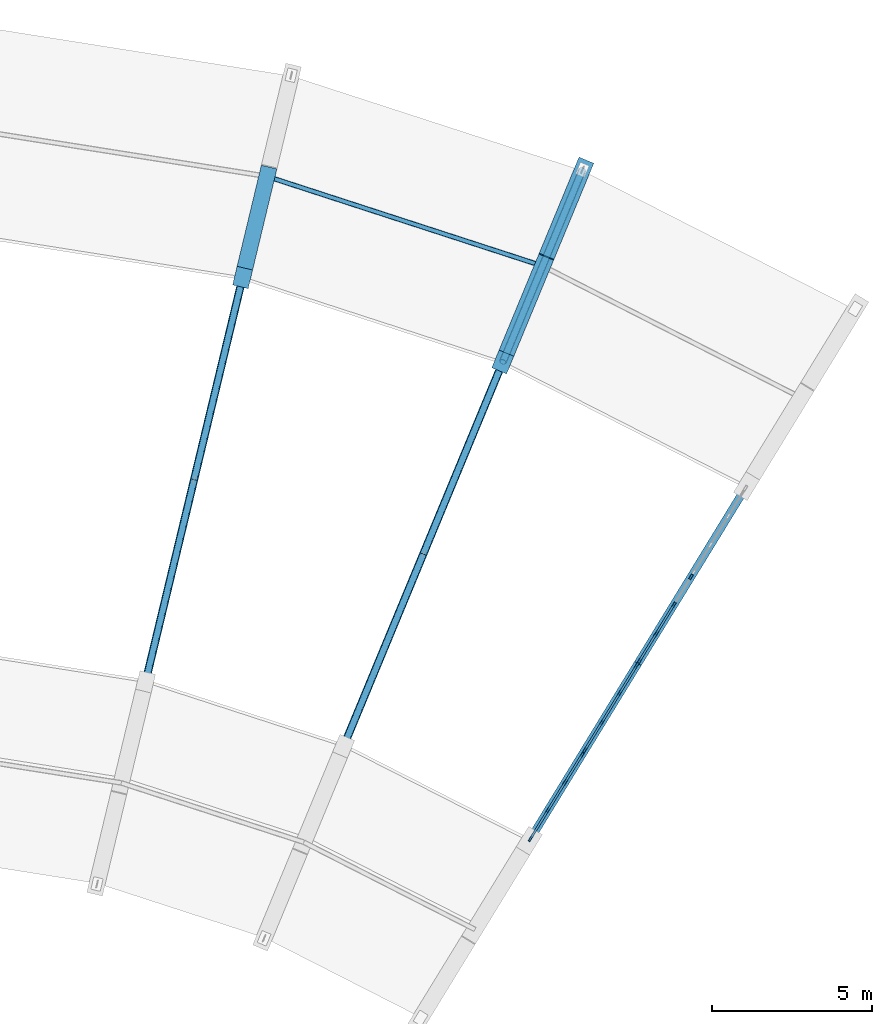
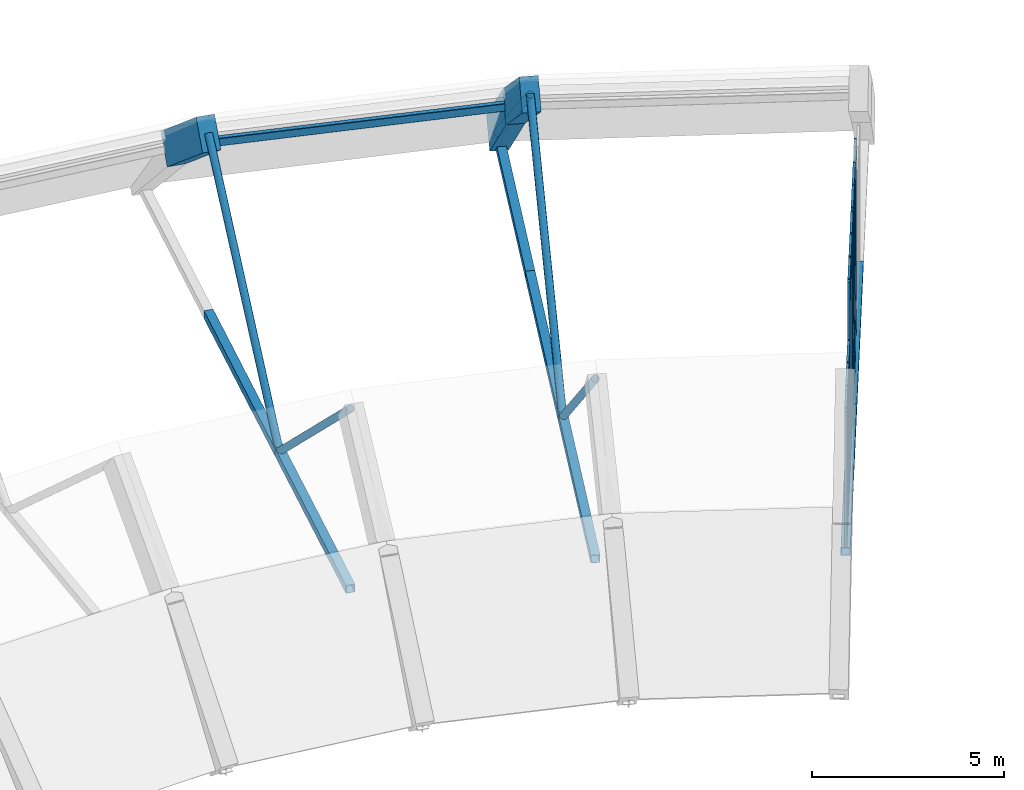
# One storey, part 12 of 34: 50 members, 10 beams, 3 elements without a shape of their own.
"""IFC4 building model written with IfcOpenShell, lengths in metres."""

from ifc_helpers import new_model, si_unit, direction, frame, origin, origin_2d, place, context, subcontext, project, spatial, rectangle, hollow_rectangle, hollow_circle, extrude, material, layer, layer_set, material_profile, profile_set, type_object, element, aggregate, save


model = new_model("IFC4")

# Units and contexts
model_context = context("Model", 3, precision=1e-05, world=origin(), true_north=direction((0.0, 1.0)))
body_context = subcontext(model_context, "Body", "Model", "MODEL_VIEW")
ifc_project = project(units=[si_unit("LENGTHUNIT", "METRE"), si_unit("AREAUNIT", "SQUARE_METRE"), si_unit("VOLUMEUNIT", "CUBIC_METRE"), si_unit("PLANEANGLEUNIT", "RADIAN"), si_unit("MASSUNIT", "GRAM", prefix="KILO")], contexts=[model_context])

# Site, building, storey
site_placement = place(None, origin())
site = spatial("IfcSite", under=ifc_project, at=site_placement, CompositionType="ELEMENT")
building_placement = place(site_placement, origin())
building = spatial("IfcBuilding", under=site, at=building_placement, Name="Miralva Faculty of Natural Sciences", CompositionType="ELEMENT")
storey_placement = place(building_placement, frame((0.0, 0.0, 24.0)))
storey = spatial("IfcBuildingStorey", under=building, at=storey_placement, Name="L05", CompositionType="ELEMENT", Elevation=24.0)

# Beams
ifc_material_1 = material(Name="Concrete C40/50", Category="concrete")
ifc_material_profile_1 = material_profile(ifc_material_1, rectangle(XDim=0.5, YDim=0.949951171875, at=origin_2d()), Name="RC 500x950")
ifc_profile_set_1 = profile_set([ifc_material_profile_1], Name="Concrete C40/50")
beam_type_1 = type_object("IfcBeamType", Name="BM-EB02", PredefinedType="BEAM", material=ifc_profile_set_1)
for number, where, z_axis, x_axis, name in (
    (1, (102.722900390625, 31.994140625, 5.68505859375), (0.181572971652, 0.756446908614, -0.628346505054), (-0.972379800638, 0.233404205855, 0.0), "Visible RC shell arch edge beam EB-06 chord 7"),
    (2, (110.856201171875, 29.351318359375, 5.68505859375), (0.297739501227, 0.71872387156, -0.628320925848), (-0.923863931748, 0.382721093768, 0.0), "Visible RC shell arch edge beam EB-07 chord 7"),
):
    element("IfcBeam", number, at=place(storey_placement, frame(where, z_axis=z_axis, x_axis=x_axis)), inside=storey, type_object=beam_type_1, Name=name, PredefinedType="BEAM", context=body_context, shape_type="SweptSolid", body=[
        extrude(rectangle(XDim=0.5, YDim=0.949951171875, at=origin_2d()), origin(), (0.0, 0.0, 1.0), 4.177734375),
    ])
beam_1_placement = place(storey_placement, frame((112.10009765625, 32.35400390625, 3.06005859375), z_axis=(0.276891404172, 0.66852912837, -0.690217324338), x_axis=(-0.92389049032, 0.382656976802, 0.0)))
element("IfcBeam", 3, at=beam_1_placement, inside=storey, type_object=beam_type_1, Name="Visible RC shell arch edge beam EB-07 chord 8", PredefinedType="BEAM", context=body_context, shape_type="SweptSolid", body=[
    extrude(rectangle(XDim=0.5, YDim=0.949951171875, at=origin_2d()), origin(), (0.0, 0.0, 1.0), 4.491455078125),
])
ifc_material_2 = material(Name="Steel S355", Category="steel")
ifc_material_profile_2 = material_profile(ifc_material_2, hollow_rectangle(XDim=0.25, YDim=0.25, WallThickness=0.011962890625, at=origin_2d()), Name="HSS 250x250x12")
ifc_profile_set_2 = profile_set([ifc_material_profile_2], Name="Steel S355")
beam_type_2 = type_object("IfcBeamType", Name="BM-EBTIE", PredefinedType="BEAM", material=ifc_profile_set_2)
for number, where, z_axis, x_axis, name in (
    (4, (99.68798828125, 19.353515625, -0.0400390625), (0.23343972018, 0.972371275307, 0.0), (-0.972371275307, 0.23343972018, 0.0), "Shell arch tie chord 06-2"),
    (5, (101.205322265625, 25.673828125, -0.0400390625), (0.233475233572, 0.972362748828, 0.0), (-0.972362748828, 0.233475233572, 0.0), "Shell arch tie chord 06-3"),
    (6, (105.88134765625, 17.341064453125, -0.0400390625), (0.382702315684, 0.923871710558, 0.0), (-0.923871710558, 0.382702315684, 0.0), "Shell arch tie chord 07-2"),
):
    element("IfcBeam", number, at=place(storey_placement, frame(where, z_axis=z_axis, x_axis=x_axis)), inside=storey, type_object=beam_type_2, Name=name, PredefinedType="BEAM", context=body_context, shape_type="SweptSolid", body=[
        extrude(hollow_rectangle(XDim=0.25, YDim=0.25, WallThickness=0.011962890625, at=origin_2d()), origin(), (0.0, 0.0, 1.0), 6.5),
    ])
beam_2_placement = place(storey_placement, frame((108.368896484375, 23.34619140625, -0.0400390625), z_axis=(0.382670255779, 0.923884990322, 0.0), x_axis=(-0.923884990322, 0.382670255779, 0.0)))
element("IfcBeam", 7, at=beam_2_placement, inside=storey, type_object=beam_type_2, Name="Shell arch tie chord 07-3", PredefinedType="BEAM", context=body_context, shape_type="SweptSolid", body=[
    extrude(hollow_rectangle(XDim=0.25, YDim=0.25, WallThickness=0.011962890625, at=origin_2d()), origin(), (0.0, 0.0, 1.0), 6.499755859375),
])
beam_3_placement = place(storey_placement, frame((110.856201171875, 29.351318359375, -0.0400390625), z_axis=(0.382689035976, 0.9238772114, 0.0), x_axis=(-0.9238772114, 0.382689035976, 0.0)))
element("IfcBeam", 8, at=beam_3_placement, inside=storey, type_object=beam_type_2, Name="Shell arch tie chord 07-4", PredefinedType="BEAM", context=body_context, shape_type="SweptSolid", body=[
    extrude(hollow_rectangle(XDim=0.25, YDim=0.25, WallThickness=0.011962890625, at=origin_2d()), origin(), (0.0, 0.0, 1.0), 6.500244140625),
])
beam_4_placement = place(storey_placement, frame((111.68359375, 14.384521484375, -0.0400390625), z_axis=(0.522493357731, 0.852643355176, 0.0), x_axis=(-0.852643355176, 0.522493357731, 0.0)))
element("IfcBeam", 9, at=beam_4_placement, inside=storey, type_object=beam_type_2, Name="Shell arch tie chord 08-2", PredefinedType="BEAM", context=body_context, shape_type="SweptSolid", body=[
    extrude(hollow_rectangle(XDim=0.25, YDim=0.25, WallThickness=0.011962890625, at=origin_2d()), origin(), (0.0, 0.0, 1.0), 6.5),
])
beam_5_placement = place(storey_placement, frame((115.079833984375, 19.9267578125, -0.0400390625), z_axis=(0.522520662875, 0.852626622191, 0.0), x_axis=(-0.852626622191, 0.522520662875, 0.0)))
element("IfcBeam", 10, at=beam_5_placement, inside=storey, type_object=beam_type_2, Name="Shell arch tie chord 08-3", PredefinedType="BEAM", context=body_context, shape_type="SweptSolid", body=[
    extrude(hollow_rectangle(XDim=0.25, YDim=0.25, WallThickness=0.011962890625, at=origin_2d()), origin(), (0.0, 0.0, 1.0), 6.500244140625),
])

# Curtain wall, members
ifc_material_3 = material(Name="Laminated solar-control glass", Category="glass")
ifc_layer = layer(ifc_material_3, 0.179931640625, Name="CW-ARC-L03")
ifc_layer_set = layer_set([ifc_layer], Name="Laminated solar-control glass")
curtain_wall_type = type_object("IfcCurtainWallType", Name="CW-ARC-L03", PredefinedType="USERDEFINED", material=ifc_layer_set)
curtain_wall_1_placement = place(storey_placement, origin())
curtain_wall_1 = element("IfcCurtainWall", 11, at=curtain_wall_1_placement, inside=storey, type_object=curtain_wall_type, Name="Shell arch E clerestory curtain wall K2", ObjectType="UNITISED CURTAIN WALL", PredefinedType="USERDEFINED")
ifc_material_4 = material(Name="Anodised aluminium", Category="aluminium")
ifc_material_profile_3 = material_profile(ifc_material_4, rectangle(XDim=0.06494140625, YDim=0.179931640625, at=origin_2d()), Name="MULLION 65x180")
ifc_profile_set_3 = profile_set([ifc_material_profile_3], Name="Anodised aluminium")
member_type_1 = type_object("IfcMemberType", Name="CW-M01", PredefinedType="MULLION", material=ifc_profile_set_3)
member_1_placement = place(storey_placement, frame((111.7216796875, 14.4462890625, 0.090087890625), z_axis=(0.0, 0.0, 1.0), x_axis=(-0.852637068257, 0.522503617054, 0.0)))
member_1 = element("IfcMember", 12, at=member_1_placement, type_object=member_type_1, Name="CW-03 mullion 1", PredefinedType="MULLION", context=body_context, shape_type="SweptSolid", body=[
    extrude(rectangle(XDim=0.06494140625, YDim=0.179931640625, at=origin_2d()), origin(), (0.0, 0.0, 1.0), 4.32958984375),
])
member_2_placement = place(storey_placement, frame((112.256591796875, 15.319580078125, 0.090087890625), z_axis=(0.0, 0.0, 1.0), x_axis=(-0.852637068257, 0.522503617054, 0.0)))
member_2 = element("IfcMember", 13, at=member_2_placement, type_object=member_type_1, Name="CW-03 mullion 2", PredefinedType="MULLION", context=body_context, shape_type="SweptSolid", body=[
    extrude(rectangle(XDim=0.06494140625, YDim=0.179931640625, at=origin_2d()), origin(), (0.0, 0.0, 1.0), 4.32958984375),
])
member_3_placement = place(storey_placement, frame((112.808837890625, 16.220458984375, 0.090087890625), z_axis=(0.0, 0.0, 1.0), x_axis=(-0.852637068257, 0.522503617054, 0.0)))
member_3 = element("IfcMember", 14, at=member_3_placement, type_object=member_type_1, Name="CW-03 mullion 3", PredefinedType="MULLION", context=body_context, shape_type="SweptSolid", body=[
    extrude(rectangle(XDim=0.06494140625, YDim=0.179931640625, at=origin_2d()), origin(), (0.0, 0.0, 1.0), 4.32958984375),
])
member_4_placement = place(storey_placement, frame((113.343994140625, 17.09375, 0.090087890625), z_axis=(0.0, 0.0, 1.0), x_axis=(-0.852637068257, 0.522503617054, 0.0)))
member_4 = element("IfcMember", 15, at=member_4_placement, type_object=member_type_1, Name="CW-03 mullion 4", PredefinedType="MULLION", context=body_context, shape_type="SweptSolid", body=[
    extrude(rectangle(XDim=0.06494140625, YDim=0.179931640625, at=origin_2d()), origin(), (0.0, 0.0, 1.0), 4.32958984375),
])

curtain_wall_2_placement = place(storey_placement, origin())
curtain_wall_2 = element("IfcCurtainWall", 16, at=curtain_wall_2_placement, inside=storey, type_object=curtain_wall_type, Name="Shell arch E clerestory curtain wall K3", ObjectType="UNITISED CURTAIN WALL", PredefinedType="USERDEFINED")
member_5_placement = place(storey_placement, frame((113.419677734375, 17.217529296875, 0.090087890625), z_axis=(0.0, 0.0, 1.0), x_axis=(-0.852637068257, 0.522503617054, 0.0)))
member_5 = element("IfcMember", 17, at=member_5_placement, type_object=member_type_1, Name="CW-03 mullion 1", PredefinedType="MULLION", context=body_context, shape_type="SweptSolid", body=[
    extrude(rectangle(XDim=0.06494140625, YDim=0.179931640625, at=origin_2d()), origin(), (0.0, 0.0, 1.0), 6.150390625),
])
member_6_placement = place(storey_placement, frame((113.954833984375, 18.0908203125, 0.090087890625), z_axis=(0.0, 0.0, 1.0), x_axis=(-0.852637068257, 0.522503617054, 0.0)))
member_6 = element("IfcMember", 18, at=member_6_placement, type_object=member_type_1, Name="CW-03 mullion 2", PredefinedType="MULLION", context=body_context, shape_type="SweptSolid", body=[
    extrude(rectangle(XDim=0.06494140625, YDim=0.179931640625, at=origin_2d()), origin(), (0.0, 0.0, 1.0), 6.150390625),
])
member_7_placement = place(storey_placement, frame((114.5068359375, 18.99169921875, 0.090087890625), z_axis=(0.0, 0.0, 1.0), x_axis=(-0.852637068257, 0.522503617054, 0.0)))
member_7 = element("IfcMember", 19, at=member_7_placement, type_object=member_type_1, Name="CW-03 mullion 3", PredefinedType="MULLION", context=body_context, shape_type="SweptSolid", body=[
    extrude(rectangle(XDim=0.06494140625, YDim=0.179931640625, at=origin_2d()), origin(), (0.0, 0.0, 1.0), 6.150390625),
])
member_8_placement = place(storey_placement, frame((115.0419921875, 19.864990234375, 0.090087890625), z_axis=(0.0, 0.0, 1.0), x_axis=(-0.852637068257, 0.522503617054, 0.0)))
member_8 = element("IfcMember", 20, at=member_8_placement, type_object=member_type_1, Name="CW-03 mullion 4", PredefinedType="MULLION", context=body_context, shape_type="SweptSolid", body=[
    extrude(rectangle(XDim=0.06494140625, YDim=0.179931640625, at=origin_2d()), origin(), (0.0, 0.0, 1.0), 6.150390625),
])

curtain_wall_3_placement = place(storey_placement, origin())
curtain_wall_3 = element("IfcCurtainWall", 21, at=curtain_wall_3_placement, inside=storey, type_object=curtain_wall_type, Name="Shell arch E clerestory curtain wall K4", ObjectType="UNITISED CURTAIN WALL", PredefinedType="USERDEFINED")
member_9_placement = place(storey_placement, frame((115.11767578125, 19.988525390625, 0.090087890625), z_axis=(0.0, 0.0, 1.0), x_axis=(-0.852631626815, 0.522512496459, 0.0)))
member_9 = element("IfcMember", 22, at=member_9_placement, type_object=member_type_1, Name="CW-03 mullion 1", PredefinedType="MULLION", context=body_context, shape_type="SweptSolid", body=[
    extrude(rectangle(XDim=0.06494140625, YDim=0.179931640625, at=origin_2d()), origin(), (0.0, 0.0, 1.0), 6.150390625),
])
member_10_placement = place(storey_placement, frame((115.65283203125, 20.86181640625, 0.090087890625), z_axis=(0.0, 0.0, 1.0), x_axis=(-0.852631626815, 0.522512496459, 0.0)))
member_10 = element("IfcMember", 23, at=member_10_placement, type_object=member_type_1, Name="CW-03 mullion 2", PredefinedType="MULLION", context=body_context, shape_type="SweptSolid", body=[
    extrude(rectangle(XDim=0.06494140625, YDim=0.179931640625, at=origin_2d()), origin(), (0.0, 0.0, 1.0), 6.150390625),
])
member_11_placement = place(storey_placement, frame((116.205078125, 21.7626953125, 0.090087890625), z_axis=(0.0, 0.0, 1.0), x_axis=(-0.852631626815, 0.522512496459, 0.0)))
member_11 = element("IfcMember", 24, at=member_11_placement, type_object=member_type_1, Name="CW-03 mullion 3", PredefinedType="MULLION", context=body_context, shape_type="SweptSolid", body=[
    extrude(rectangle(XDim=0.06494140625, YDim=0.179931640625, at=origin_2d()), origin(), (0.0, 0.0, 1.0), 6.150390625),
])
member_12_placement = place(storey_placement, frame((116.740234375, 22.635986328125, 0.090087890625), z_axis=(0.0, 0.0, 1.0), x_axis=(-0.852631626815, 0.522512496459, 0.0)))
member_12 = element("IfcMember", 25, at=member_12_placement, type_object=member_type_1, Name="CW-03 mullion 4", PredefinedType="MULLION", context=body_context, shape_type="SweptSolid", body=[
    extrude(rectangle(XDim=0.06494140625, YDim=0.179931640625, at=origin_2d()), origin(), (0.0, 0.0, 1.0), 6.150390625),
])

# Member
ifc_material_profile_4 = material_profile(ifc_material_4, rectangle(XDim=0.06494140625, YDim=0.139892578125, at=origin_2d()), Name="TRANSOM 65x140")
ifc_profile_set_4 = profile_set([ifc_material_profile_4], Name="Anodised aluminium")
member_type_2 = type_object("IfcMemberType", Name="CW-T01", PredefinedType="USERDEFINED", material=ifc_profile_set_4)
member_13_placement = place(storey_placement, frame((111.738525390625, 14.47412109375, 0.12255859375), z_axis=(0.522520279799, 0.852626856954, 0.0), x_axis=(-0.852626856954, 0.522520279799, 0.0)))
member_13 = element("IfcMember", 26, at=member_13_placement, type_object=member_type_2, Name="CW-03 transom 1.1", ObjectType="TRANSOM", PredefinedType="USERDEFINED", context=body_context, shape_type="SweptSolid", body=[
    extrude(rectangle(XDim=0.06494140625, YDim=0.139892578125, at=origin_2d()), origin(), (0.0, 0.0, 1.0), 0.959228515625),
])

member_14_placement = place(storey_placement, frame((111.738525390625, 14.47412109375, 1.139892578125), z_axis=(0.522520279799, 0.852626856954, 0.0), x_axis=(-0.852626856954, 0.522520279799, 0.0)))
member_14 = element("IfcMember", 27, at=member_14_placement, type_object=member_type_2, Name="CW-03 transom 1.2", ObjectType="TRANSOM", PredefinedType="USERDEFINED", context=body_context, shape_type="SweptSolid", body=[
    extrude(rectangle(XDim=0.06494140625, YDim=0.139892578125, at=origin_2d()), origin(), (0.0, 0.0, 1.0), 0.959228515625),
])

member_15_placement = place(storey_placement, frame((111.738525390625, 14.47412109375, 3.769775390625), z_axis=(0.522520279799, 0.852626856954, 0.0), x_axis=(-0.852626856954, 0.522520279799, 0.0)))
member_15 = element("IfcMember", 28, at=member_15_placement, type_object=member_type_2, Name="CW-03 transom 1.3", ObjectType="TRANSOM", PredefinedType="USERDEFINED", context=body_context, shape_type="SweptSolid", body=[
    extrude(rectangle(XDim=0.06494140625, YDim=0.139892578125, at=origin_2d()), origin(), (0.0, 0.0, 1.0), 0.959228515625),
])

member_16_placement = place(storey_placement, frame((111.738525390625, 14.47412109375, 4.38720703125), z_axis=(0.522520279799, 0.852626856954, 0.0), x_axis=(-0.852626856954, 0.522520279799, 0.0)))
member_16 = element("IfcMember", 29, at=member_16_placement, type_object=member_type_2, Name="CW-03 transom 1.4", ObjectType="TRANSOM", PredefinedType="USERDEFINED", context=body_context, shape_type="SweptSolid", body=[
    extrude(rectangle(XDim=0.06494140625, YDim=0.139892578125, at=origin_2d()), origin(), (0.0, 0.0, 1.0), 0.959228515625),
])

member_17_placement = place(storey_placement, frame((112.273681640625, 15.347412109375, 0.12255859375), z_axis=(0.522475450425, 0.852654328379, 0.0), x_axis=(-0.852654328379, 0.522475450425, 0.0)))
member_17 = element("IfcMember", 30, at=member_17_placement, type_object=member_type_2, Name="CW-03 transom 2.1", ObjectType="TRANSOM", PredefinedType="USERDEFINED", context=body_context, shape_type="SweptSolid", body=[
    extrude(rectangle(XDim=0.06494140625, YDim=0.139892578125, at=origin_2d()), origin(), (0.0, 0.0, 1.0), 0.991455078125),
])

member_18_placement = place(storey_placement, frame((112.273681640625, 15.347412109375, 1.139892578125), z_axis=(0.522475450425, 0.852654328379, 0.0), x_axis=(-0.852654328379, 0.522475450425, 0.0)))
member_18 = element("IfcMember", 31, at=member_18_placement, type_object=member_type_2, Name="CW-03 transom 2.2", ObjectType="TRANSOM", PredefinedType="USERDEFINED", context=body_context, shape_type="SweptSolid", body=[
    extrude(rectangle(XDim=0.06494140625, YDim=0.139892578125, at=origin_2d()), origin(), (0.0, 0.0, 1.0), 0.991455078125),
])

member_19_placement = place(storey_placement, frame((112.273681640625, 15.347412109375, 3.769775390625), z_axis=(0.522475450425, 0.852654328379, 0.0), x_axis=(-0.852654328379, 0.522475450425, 0.0)))
member_19 = element("IfcMember", 32, at=member_19_placement, type_object=member_type_2, Name="CW-03 transom 2.3", ObjectType="TRANSOM", PredefinedType="USERDEFINED", context=body_context, shape_type="SweptSolid", body=[
    extrude(rectangle(XDim=0.06494140625, YDim=0.139892578125, at=origin_2d()), origin(), (0.0, 0.0, 1.0), 0.991455078125),
])

member_20_placement = place(storey_placement, frame((112.273681640625, 15.347412109375, 4.38720703125), z_axis=(0.522475450425, 0.852654328379, 0.0), x_axis=(-0.852654328379, 0.522475450425, 0.0)))
member_20 = element("IfcMember", 33, at=member_20_placement, type_object=member_type_2, Name="CW-03 transom 2.4", ObjectType="TRANSOM", PredefinedType="USERDEFINED", context=body_context, shape_type="SweptSolid", body=[
    extrude(rectangle(XDim=0.06494140625, YDim=0.139892578125, at=origin_2d()), origin(), (0.0, 0.0, 1.0), 0.991455078125),
])

member_21_placement = place(storey_placement, frame((112.82568359375, 16.248291015625, 0.12255859375), z_axis=(0.522520279799, 0.852626856954, 0.0), x_axis=(-0.852626856954, 0.522520279799, 0.0)))
member_21 = element("IfcMember", 34, at=member_21_placement, type_object=member_type_2, Name="CW-03 transom 3.1", ObjectType="TRANSOM", PredefinedType="USERDEFINED", context=body_context, shape_type="SweptSolid", body=[
    extrude(rectangle(XDim=0.06494140625, YDim=0.139892578125, at=origin_2d()), origin(), (0.0, 0.0, 1.0), 0.959228515625),
])

member_22_placement = place(storey_placement, frame((112.82568359375, 16.248291015625, 1.139892578125), z_axis=(0.522520279799, 0.852626856954, 0.0), x_axis=(-0.852626856954, 0.522520279799, 0.0)))
member_22 = element("IfcMember", 35, at=member_22_placement, type_object=member_type_2, Name="CW-03 transom 3.2", ObjectType="TRANSOM", PredefinedType="USERDEFINED", context=body_context, shape_type="SweptSolid", body=[
    extrude(rectangle(XDim=0.06494140625, YDim=0.139892578125, at=origin_2d()), origin(), (0.0, 0.0, 1.0), 0.959228515625),
])

member_23_placement = place(storey_placement, frame((112.82568359375, 16.248291015625, 3.769775390625), z_axis=(0.522520279799, 0.852626856954, 0.0), x_axis=(-0.852626856954, 0.522520279799, 0.0)))
member_23 = element("IfcMember", 36, at=member_23_placement, type_object=member_type_2, Name="CW-03 transom 3.3", ObjectType="TRANSOM", PredefinedType="USERDEFINED", context=body_context, shape_type="SweptSolid", body=[
    extrude(rectangle(XDim=0.06494140625, YDim=0.139892578125, at=origin_2d()), origin(), (0.0, 0.0, 1.0), 0.959228515625),
])

member_24_placement = place(storey_placement, frame((112.82568359375, 16.248291015625, 4.38720703125), z_axis=(0.522520279799, 0.852626856954, 0.0), x_axis=(-0.852626856954, 0.522520279799, 0.0)))
member_24 = element("IfcMember", 37, at=member_24_placement, type_object=member_type_2, Name="CW-03 transom 3.4", ObjectType="TRANSOM", PredefinedType="USERDEFINED", context=body_context, shape_type="SweptSolid", body=[
    extrude(rectangle(XDim=0.06494140625, YDim=0.139892578125, at=origin_2d()), origin(), (0.0, 0.0, 1.0), 0.959228515625),
])

aggregate(curtain_wall_1, [member_1, member_2, member_3, member_4, member_13, member_14, member_15, member_16, member_17, member_18, member_19, member_20, member_21, member_22, member_23, member_24])

member_25_placement = place(storey_placement, frame((113.436767578125, 17.2451171875, 0.12255859375), z_axis=(0.522335217118, 0.852740242371, 0.0), x_axis=(-0.852740242371, 0.522335217118, 0.0)))
member_25 = element("IfcMember", 38, at=member_25_placement, type_object=member_type_2, Name="CW-03 transom 1.1", ObjectType="TRANSOM", PredefinedType="USERDEFINED", context=body_context, shape_type="SweptSolid", body=[
    extrude(rectangle(XDim=0.06494140625, YDim=0.139892578125, at=origin_2d()), origin(), (0.0, 0.0, 1.0), 0.959228515625),
])

member_26_placement = place(storey_placement, frame((113.436767578125, 17.2451171875, 1.139892578125), z_axis=(0.522335217118, 0.852740242371, 0.0), x_axis=(-0.852740242371, 0.522335217118, 0.0)))
member_26 = element("IfcMember", 39, at=member_26_placement, type_object=member_type_2, Name="CW-03 transom 1.2", ObjectType="TRANSOM", PredefinedType="USERDEFINED", context=body_context, shape_type="SweptSolid", body=[
    extrude(rectangle(XDim=0.06494140625, YDim=0.139892578125, at=origin_2d()), origin(), (0.0, 0.0, 1.0), 0.959228515625),
])

member_27_placement = place(storey_placement, frame((113.436767578125, 17.2451171875, 5.590576171875), z_axis=(0.522335217118, 0.852740242371, 0.0), x_axis=(-0.852740242371, 0.522335217118, 0.0)))
member_27 = element("IfcMember", 40, at=member_27_placement, type_object=member_type_2, Name="CW-03 transom 1.3", ObjectType="TRANSOM", PredefinedType="USERDEFINED", context=body_context, shape_type="SweptSolid", body=[
    extrude(rectangle(XDim=0.06494140625, YDim=0.139892578125, at=origin_2d()), origin(), (0.0, 0.0, 1.0), 0.959228515625),
])

member_28_placement = place(storey_placement, frame((113.436767578125, 17.2451171875, 6.2080078125), z_axis=(0.522335217118, 0.852740242371, 0.0), x_axis=(-0.852740242371, 0.522335217118, 0.0)))
member_28 = element("IfcMember", 41, at=member_28_placement, type_object=member_type_2, Name="CW-03 transom 1.4", ObjectType="TRANSOM", PredefinedType="USERDEFINED", context=body_context, shape_type="SweptSolid", body=[
    extrude(rectangle(XDim=0.06494140625, YDim=0.139892578125, at=origin_2d()), origin(), (0.0, 0.0, 1.0), 0.959228515625),
])

member_29_placement = place(storey_placement, frame((113.9716796875, 18.118408203125, 0.12255859375), z_axis=(0.522654421441, 0.852544635634, 0.0), x_axis=(-0.852544635634, 0.522654421441, 0.0)))
member_29 = element("IfcMember", 42, at=member_29_placement, type_object=member_type_2, Name="CW-03 transom 2.1", ObjectType="TRANSOM", PredefinedType="USERDEFINED", context=body_context, shape_type="SweptSolid", body=[
    extrude(rectangle(XDim=0.06494140625, YDim=0.139892578125, at=origin_2d()), origin(), (0.0, 0.0, 1.0), 0.99169921875),
])

member_30_placement = place(storey_placement, frame((113.9716796875, 18.118408203125, 1.139892578125), z_axis=(0.522654421441, 0.852544635634, 0.0), x_axis=(-0.852544635634, 0.522654421441, 0.0)))
member_30 = element("IfcMember", 43, at=member_30_placement, type_object=member_type_2, Name="CW-03 transom 2.2", ObjectType="TRANSOM", PredefinedType="USERDEFINED", context=body_context, shape_type="SweptSolid", body=[
    extrude(rectangle(XDim=0.06494140625, YDim=0.139892578125, at=origin_2d()), origin(), (0.0, 0.0, 1.0), 0.99169921875),
])

member_31_placement = place(storey_placement, frame((113.9716796875, 18.118408203125, 5.590576171875), z_axis=(0.522654421441, 0.852544635634, 0.0), x_axis=(-0.852544635634, 0.522654421441, 0.0)))
member_31 = element("IfcMember", 44, at=member_31_placement, type_object=member_type_2, Name="CW-03 transom 2.3", ObjectType="TRANSOM", PredefinedType="USERDEFINED", context=body_context, shape_type="SweptSolid", body=[
    extrude(rectangle(XDim=0.06494140625, YDim=0.139892578125, at=origin_2d()), origin(), (0.0, 0.0, 1.0), 0.99169921875),
])

member_32_placement = place(storey_placement, frame((113.9716796875, 18.118408203125, 6.2080078125), z_axis=(0.522654421441, 0.852544635634, 0.0), x_axis=(-0.852544635634, 0.522654421441, 0.0)))
member_32 = element("IfcMember", 45, at=member_32_placement, type_object=member_type_2, Name="CW-03 transom 2.4", ObjectType="TRANSOM", PredefinedType="USERDEFINED", context=body_context, shape_type="SweptSolid", body=[
    extrude(rectangle(XDim=0.06494140625, YDim=0.139892578125, at=origin_2d()), origin(), (0.0, 0.0, 1.0), 0.99169921875),
])

member_33_placement = place(storey_placement, frame((114.52392578125, 19.019287109375, 0.12255859375), z_axis=(0.522520279799, 0.852626856954, 0.0), x_axis=(-0.852626856954, 0.522520279799, 0.0)))
member_33 = element("IfcMember", 46, at=member_33_placement, type_object=member_type_2, Name="CW-03 transom 3.1", ObjectType="TRANSOM", PredefinedType="USERDEFINED", context=body_context, shape_type="SweptSolid", body=[
    extrude(rectangle(XDim=0.06494140625, YDim=0.139892578125, at=origin_2d()), origin(), (0.0, 0.0, 1.0), 0.959228515625),
])

member_34_placement = place(storey_placement, frame((114.52392578125, 19.019287109375, 1.139892578125), z_axis=(0.522520279799, 0.852626856954, 0.0), x_axis=(-0.852626856954, 0.522520279799, 0.0)))
member_34 = element("IfcMember", 47, at=member_34_placement, type_object=member_type_2, Name="CW-03 transom 3.2", ObjectType="TRANSOM", PredefinedType="USERDEFINED", context=body_context, shape_type="SweptSolid", body=[
    extrude(rectangle(XDim=0.06494140625, YDim=0.139892578125, at=origin_2d()), origin(), (0.0, 0.0, 1.0), 0.959228515625),
])

member_35_placement = place(storey_placement, frame((114.52392578125, 19.019287109375, 5.590576171875), z_axis=(0.522520279799, 0.852626856954, 0.0), x_axis=(-0.852626856954, 0.522520279799, 0.0)))
member_35 = element("IfcMember", 48, at=member_35_placement, type_object=member_type_2, Name="CW-03 transom 3.3", ObjectType="TRANSOM", PredefinedType="USERDEFINED", context=body_context, shape_type="SweptSolid", body=[
    extrude(rectangle(XDim=0.06494140625, YDim=0.139892578125, at=origin_2d()), origin(), (0.0, 0.0, 1.0), 0.959228515625),
])

member_36_placement = place(storey_placement, frame((114.52392578125, 19.019287109375, 6.2080078125), z_axis=(0.522520279799, 0.852626856954, 0.0), x_axis=(-0.852626856954, 0.522520279799, 0.0)))
member_36 = element("IfcMember", 49, at=member_36_placement, type_object=member_type_2, Name="CW-03 transom 3.4", ObjectType="TRANSOM", PredefinedType="USERDEFINED", context=body_context, shape_type="SweptSolid", body=[
    extrude(rectangle(XDim=0.06494140625, YDim=0.139892578125, at=origin_2d()), origin(), (0.0, 0.0, 1.0), 0.959228515625),
])

aggregate(curtain_wall_2, [member_5, member_6, member_7, member_8, member_25, member_26, member_27, member_28, member_29, member_30, member_31, member_32, member_33, member_34, member_35, member_36])

member_37_placement = place(storey_placement, frame((115.134765625, 20.01611328125, 0.12255859375), z_axis=(0.522520279799, 0.852626856954, 0.0), x_axis=(-0.852626856954, 0.522520279799, 0.0)))
member_37 = element("IfcMember", 50, at=member_37_placement, type_object=member_type_2, Name="CW-03 transom 1.1", ObjectType="TRANSOM", PredefinedType="USERDEFINED", context=body_context, shape_type="SweptSolid", body=[
    extrude(rectangle(XDim=0.06494140625, YDim=0.139892578125, at=origin_2d()), origin(), (0.0, 0.0, 1.0), 0.959228515625),
])

member_38_placement = place(storey_placement, frame((115.134765625, 20.01611328125, 1.139892578125), z_axis=(0.522520279799, 0.852626856954, 0.0), x_axis=(-0.852626856954, 0.522520279799, 0.0)))
member_38 = element("IfcMember", 51, at=member_38_placement, type_object=member_type_2, Name="CW-03 transom 1.2", ObjectType="TRANSOM", PredefinedType="USERDEFINED", context=body_context, shape_type="SweptSolid", body=[
    extrude(rectangle(XDim=0.06494140625, YDim=0.139892578125, at=origin_2d()), origin(), (0.0, 0.0, 1.0), 0.959228515625),
])

member_39_placement = place(storey_placement, frame((115.134765625, 20.01611328125, 5.590576171875), z_axis=(0.522520279799, 0.852626856954, 0.0), x_axis=(-0.852626856954, 0.522520279799, 0.0)))
member_39 = element("IfcMember", 52, at=member_39_placement, type_object=member_type_2, Name="CW-03 transom 1.3", ObjectType="TRANSOM", PredefinedType="USERDEFINED", context=body_context, shape_type="SweptSolid", body=[
    extrude(rectangle(XDim=0.06494140625, YDim=0.139892578125, at=origin_2d()), origin(), (0.0, 0.0, 1.0), 0.959228515625),
])

member_40_placement = place(storey_placement, frame((115.134765625, 20.01611328125, 6.2080078125), z_axis=(0.522520279799, 0.852626856954, 0.0), x_axis=(-0.852626856954, 0.522520279799, 0.0)))
member_40 = element("IfcMember", 53, at=member_40_placement, type_object=member_type_2, Name="CW-03 transom 1.4", ObjectType="TRANSOM", PredefinedType="USERDEFINED", context=body_context, shape_type="SweptSolid", body=[
    extrude(rectangle(XDim=0.06494140625, YDim=0.139892578125, at=origin_2d()), origin(), (0.0, 0.0, 1.0), 0.959228515625),
])

member_41_placement = place(storey_placement, frame((115.669921875, 20.889404296875, 0.12255859375), z_axis=(0.522365781056, 0.852721520065, 0.0), x_axis=(-0.852721520065, 0.522365781056, 0.0)))
member_41 = element("IfcMember", 54, at=member_41_placement, type_object=member_type_2, Name="CW-03 transom 2.1", ObjectType="TRANSOM", PredefinedType="USERDEFINED", context=body_context, shape_type="SweptSolid", body=[
    extrude(rectangle(XDim=0.06494140625, YDim=0.139892578125, at=origin_2d()), origin(), (0.0, 0.0, 1.0), 0.99169921875),
])

member_42_placement = place(storey_placement, frame((115.669921875, 20.889404296875, 1.139892578125), z_axis=(0.522365781056, 0.852721520065, 0.0), x_axis=(-0.852721520065, 0.522365781056, 0.0)))
member_42 = element("IfcMember", 55, at=member_42_placement, type_object=member_type_2, Name="CW-03 transom 2.2", ObjectType="TRANSOM", PredefinedType="USERDEFINED", context=body_context, shape_type="SweptSolid", body=[
    extrude(rectangle(XDim=0.06494140625, YDim=0.139892578125, at=origin_2d()), origin(), (0.0, 0.0, 1.0), 0.99169921875),
])

member_43_placement = place(storey_placement, frame((115.669921875, 20.889404296875, 5.590576171875), z_axis=(0.522365781056, 0.852721520065, 0.0), x_axis=(-0.852721520065, 0.522365781056, 0.0)))
member_43 = element("IfcMember", 56, at=member_43_placement, type_object=member_type_2, Name="CW-03 transom 2.3", ObjectType="TRANSOM", PredefinedType="USERDEFINED", context=body_context, shape_type="SweptSolid", body=[
    extrude(rectangle(XDim=0.06494140625, YDim=0.139892578125, at=origin_2d()), origin(), (0.0, 0.0, 1.0), 0.99169921875),
])

member_44_placement = place(storey_placement, frame((115.669921875, 20.889404296875, 6.2080078125), z_axis=(0.522365781056, 0.852721520065, 0.0), x_axis=(-0.852721520065, 0.522365781056, 0.0)))
member_44 = element("IfcMember", 57, at=member_44_placement, type_object=member_type_2, Name="CW-03 transom 2.4", ObjectType="TRANSOM", PredefinedType="USERDEFINED", context=body_context, shape_type="SweptSolid", body=[
    extrude(rectangle(XDim=0.06494140625, YDim=0.139892578125, at=origin_2d()), origin(), (0.0, 0.0, 1.0), 0.99169921875),
])

aggregate(curtain_wall_3, [member_9, member_10, member_11, member_12, member_37, member_38, member_39, member_40, member_41, member_42, member_43, member_44])

# Members
ifc_material_profile_5 = material_profile(ifc_material_2, hollow_rectangle(XDim=0.14990234375, YDim=0.25, WallThickness=0.010009765625, InnerFilletRadius=0.010009765625, OuterFilletRadius=0.02001953125, at=origin_2d()), Name="HSS 250x150x10")
ifc_profile_set_5 = profile_set([ifc_material_profile_5], Name="Steel S355")
member_type_3 = type_object("IfcMemberType", Name="MEM-PU01", PredefinedType="PURLIN", material=ifc_profile_set_5)
member_45_placement = place(storey_placement, frame((103.4814453125, 35.154296875, 3.094970703125), z_axis=(0.951059011249, -0.309009315592, 0.0), x_axis=(0.309009315592, 0.951059011249, 0.0)))
element("IfcMember", 58, at=member_45_placement, inside=storey, type_object=member_type_3, Name="Shell longitudinal purlin B6-K7", PredefinedType="PURLIN", context=body_context, shape_type="SweptSolid", body=[
    extrude(hollow_rectangle(XDim=0.14990234375, YDim=0.25, WallThickness=0.010009765625, InnerFilletRadius=0.010009765625, OuterFilletRadius=0.02001953125, at=origin_2d()), origin(), (0.0, 0.0, 1.0), 9.062255859375),
])
ifc_material_profile_6 = material_profile(ifc_material_2, hollow_circle(Radius=0.109619140625, WallThickness=0.010009765625, at=origin_2d()), Name="CHS 219.1x10")
ifc_profile_set_6 = profile_set([ifc_material_profile_6], Name="Steel S355")
member_type_4 = type_object("IfcMemberType", Name="MEM-ST01", PredefinedType="STRUT", material=ifc_profile_set_6)
member_46_placement = place(storey_placement, frame((99.68798828125, 19.353515625, 5.68505859375), z_axis=(0.175176981106, 0.729683296358, -0.66096543957), x_axis=(-0.972371275307, 0.23343972018, 0.0)))
element("IfcMember", 59, at=member_46_placement, inside=storey, type_object=member_type_4, Name="Shell arch web diagonal 06-2", PredefinedType="STRUT", context=body_context, shape_type="SweptSolid", body=[
    extrude(hollow_circle(Radius=0.109619140625, WallThickness=0.010009765625, at=origin_2d()), origin(), (0.0, 0.0, 1.0), 8.66162109375),
])
for number, where, z_axis, x_axis, name in (
    (60, (101.205322265625, 25.673828125, -0.0400390625), (0.175204302115, 0.729679693235, 0.660962175771), (-0.972362748828, 0.233475233572, 0.0), "Shell arch web diagonal 06-3"),
    (61, (105.88134765625, 17.341064453125, 5.68505859375), (0.287187254629, 0.693291284927, -0.660961931599), (-0.923871710558, 0.382702315684, 0.0), "Shell arch web diagonal 07-2"),
):
    element("IfcMember", number, at=place(storey_placement, frame(where, z_axis=z_axis, x_axis=x_axis)), inside=storey, type_object=member_type_4, Name=name, PredefinedType="STRUT", context=body_context, shape_type="SweptSolid", body=[
        extrude(hollow_circle(Radius=0.109619140625, WallThickness=0.010009765625, at=origin_2d()), origin(), (0.0, 0.0, 1.0), 8.661865234375),
    ])
member_47_placement = place(storey_placement, frame((108.368896484375, 23.34619140625, -0.0400390625), z_axis=(0.28716139299, 0.693296896679, 0.660967281665), x_axis=(-0.923884990322, 0.382670255779, 0.0)))
element("IfcMember", 62, at=member_47_placement, inside=storey, type_object=member_type_4, Name="Shell arch web diagonal 07-3", PredefinedType="STRUT", context=body_context, shape_type="SweptSolid", body=[
    extrude(hollow_circle(Radius=0.109619140625, WallThickness=0.010009765625, at=origin_2d()), origin(), (0.0, 0.0, 1.0), 8.66162109375),
])
member_48_placement = place(storey_placement, frame((110.856201171875, 29.351318359375, 5.68505859375), z_axis=(0.287181642721, 0.693305922823, -0.660949015782), x_axis=(-0.9238772114, 0.382689035976, 0.0)))
element("IfcMember", 63, at=member_48_placement, inside=storey, type_object=member_type_4, Name="Shell arch web diagonal 07-4", PredefinedType="STRUT", context=body_context, shape_type="SweptSolid", body=[
    extrude(hollow_circle(Radius=0.109619140625, WallThickness=0.010009765625, at=origin_2d()), origin(), (0.0, 0.0, 1.0), 8.661865234375),
])

save(model, "model.ifc")
